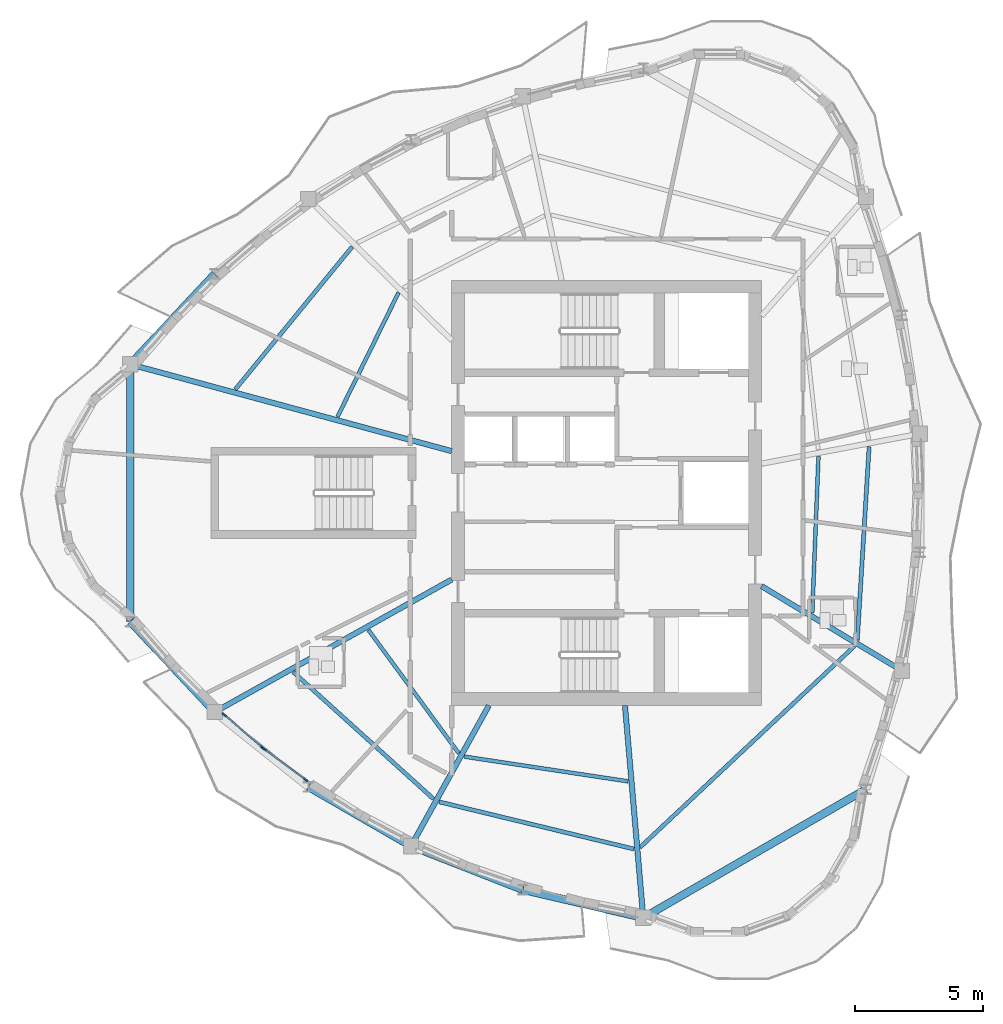
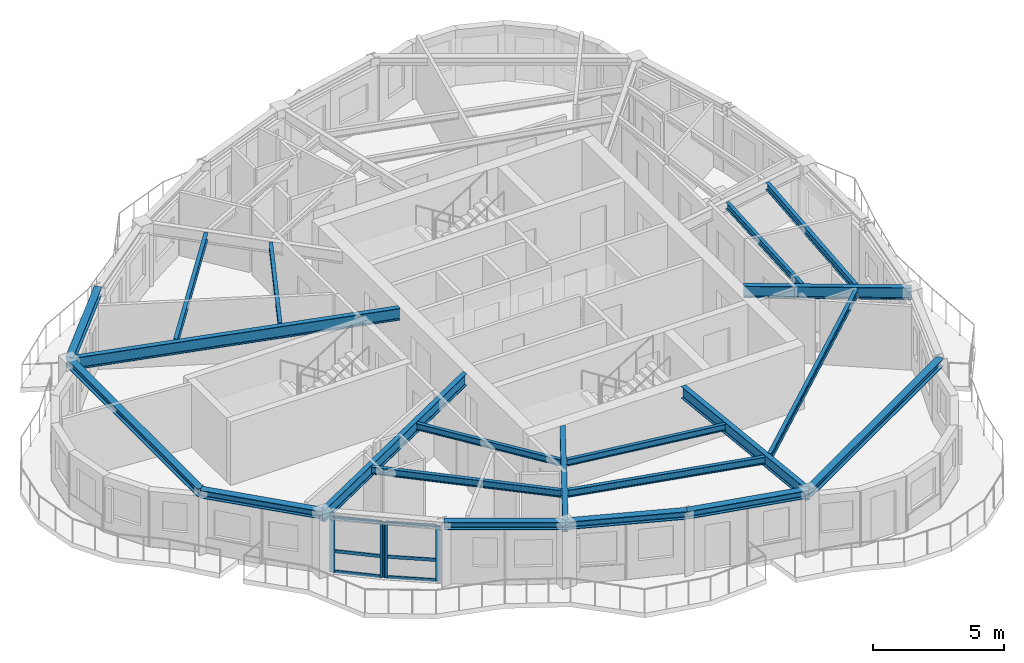
# One storey, part 2 of 13: 21 beams, 10 members, 2 elements without a shape of their own.
"""IFC4 building model written with IfcOpenShell, lengths in metres."""

from ifc_helpers import new_model, si_unit, direction, frame, origin, origin_2d, place, context, subcontext, project, spatial, rectangle, i_section, extrude, source, transform, mapped, material, layer, layer_set, material_profile, profile_set, type_object, element, aggregate, save


model = new_model("IFC4")

# Units and contexts
model_context = context("Model", 3, precision=1e-05, world=origin(), true_north=direction((0.0, 1.0)))
body_context = subcontext(model_context, "Body", "Model", "MODEL_VIEW")
ifc_project = project(units=[si_unit("LENGTHUNIT", "METRE"), si_unit("AREAUNIT", "SQUARE_METRE"), si_unit("VOLUMEUNIT", "CUBIC_METRE"), si_unit("PLANEANGLEUNIT", "RADIAN"), si_unit("MASSUNIT", "GRAM", prefix="KILO")], contexts=[model_context])

# Site, building, storey
site_placement = place(None, origin())
site = spatial("IfcSite", under=ifc_project, at=site_placement, CompositionType="ELEMENT")
building_placement = place(site_placement, origin())
building = spatial("IfcBuilding", under=site, at=building_placement, Name="Qafzar Sky-Pleat Residences", CompositionType="ELEMENT")
storey_placement = place(building_placement, frame((0.0, 0.0, 195.60009765625)))
storey = spatial("IfcBuildingStorey", under=building, at=storey_placement, Name="L58", CompositionType="ELEMENT", Elevation=195.60009765625)

# Beams
ifc_material_1 = material(Name="Steel S355", Category="steel")
ifc_material_profile_1 = material_profile(ifc_material_1, i_section(OverallWidth=0.300048828125, OverallDepth=0.360107421875, WebThickness=0.012451171875, FlangeThickness=0.0224609375, FilletRadius=0.027099609375, at=origin_2d()), Name="HEB 360")
ifc_profile_set_1 = profile_set([ifc_material_profile_1], Name="Steel S355")
beam_type_1 = type_object("IfcBeamType", Name="BM-SPAN-HEB360", PredefinedType="SPANDREL", material=ifc_profile_set_1)
shared_shape_1 = source(origin(), body_context, "Body", "SweptSolid", [
    extrude(i_section(OverallWidth=0.300048828125, OverallDepth=0.360107421875, WebThickness=0.012451171875, FlangeThickness=0.0224609375, FilletRadius=0.027099609375, at=origin_2d()), origin(), (0.0, 0.0, 1.0), 10.0458984375),
])
for number, where, z_axis, x_axis, name in (
    (1, (11.739990234375, 31.02294921875, 2.77783203125), (0.0, -1.0, 0.0), (1.0, 0.0, 0.0), "L58 Perimeter Spandrel Beam 1"),
    (2, (31.780029296875, 9.406982421875, 2.77783203125), (0.866024107753, 0.500002244785, 0.0), (-0.500002244785, 0.866024107753, 0.0), "L58 Perimeter Spandrel Beam 7"),
):
    element("IfcBeam", number, at=place(storey_placement, frame(where, z_axis=z_axis, x_axis=x_axis)), inside=storey, type_object=beam_type_1, Name=name, PredefinedType="SPANDREL", context=body_context, shape_type="MappedRepresentation", body=[
        mapped(shared_shape_1, transform((0.0, 0.0, 0.0), x_axis=(1.0, 0.0, 0.0), y_axis=(0.0, 1.0, 0.0), z_axis=(0.0, 0.0, 1.0), scale=1.0)),
    ])
shared_shape_2 = source(origin(), body_context, "Body", "SweptSolid", [
    extrude(i_section(OverallWidth=0.300048828125, OverallDepth=0.360107421875, WebThickness=0.012451171875, FlangeThickness=0.0224609375, FilletRadius=0.027099609375, at=origin_2d()), origin(), (0.0, 0.0, 1.0), 4.837158203125),
])
for number, where, z_axis, x_axis, name in (
    (3, (11.739990234375, 20.97705078125, 2.77783203125), (0.683143236152, -0.730284409596, 0.0), (0.730284409596, 0.683143236152, 0.0), "L58 Perimeter Spandrel Beam 2"),
    (4, (27.068603515625, 10.50244140625, 2.77783203125), (0.974018125748, -0.226470065822, 0.0), (0.226470065822, 0.974018125748, 0.0), "L58 Perimeter Spandrel Beam 6"),
    (5, (15.04443359375, 34.555419921875, 2.77783203125), (-0.683143236152, -0.730284409596, 0.0), (0.730284409596, -0.683143236152, 0.0), "L58 Perimeter Spandrel Beam 18"),
):
    element("IfcBeam", number, at=place(storey_placement, frame(where, z_axis=z_axis, x_axis=x_axis)), inside=storey, type_object=beam_type_1, Name=name, PredefinedType="SPANDREL", context=body_context, shape_type="MappedRepresentation", body=[
        mapped(shared_shape_2, transform((0.0, 0.0, 0.0), x_axis=(1.0, 0.0, 0.0), y_axis=(0.0, 1.0, 0.0), z_axis=(0.0, 0.0, 1.0), scale=1.0)),
    ])
shared_shape_3 = source(origin(), body_context, "Body", "SweptSolid", [
    extrude(i_section(OverallWidth=0.300048828125, OverallDepth=0.360107421875, WebThickness=0.012451171875, FlangeThickness=0.0224609375, FilletRadius=0.027099609375, at=origin_2d()), origin(), (0.0, 0.0, 1.0), 4.628173828125),
])
beam_1_placement = place(storey_placement, frame((18.70068359375, 14.521484375, 2.77783203125), z_axis=(0.866010770261, -0.500025345149, 0.0), x_axis=(0.500025345149, 0.866010770261, 0.0)))
element("IfcBeam", 6, at=beam_1_placement, inside=storey, type_object=beam_type_1, Name="L58 Perimeter Spandrel Beam 4", PredefinedType="SPANDREL", context=body_context, shape_type="MappedRepresentation", body=[
    mapped(shared_shape_3, transform((0.0, 0.0, 0.0), x_axis=(1.0, 0.0, 0.0), y_axis=(0.0, 1.0, 0.0), z_axis=(0.0, 0.0, 1.0), scale=1.0)),
])
shared_shape_4 = source(origin(), body_context, "Body", "SweptSolid", [
    extrude(i_section(OverallWidth=0.300048828125, OverallDepth=0.360107421875, WebThickness=0.012451171875, FlangeThickness=0.0224609375, FilletRadius=0.027099609375, at=origin_2d()), origin(), (0.0, 0.0, 1.0), 4.681396484375),
])
beam_2_placement = place(storey_placement, frame((22.708740234375, 12.207275390625, 2.77783203125), z_axis=(0.931329701628, -0.36417713666, 0.0), x_axis=(0.36417713666, 0.931329701628, 0.0)))
element("IfcBeam", 7, at=beam_2_placement, inside=storey, type_object=beam_type_1, Name="L58 Perimeter Spandrel Beam 5", PredefinedType="SPANDREL", context=body_context, shape_type="MappedRepresentation", body=[
    mapped(shared_shape_4, transform((0.0, 0.0, 0.0), x_axis=(1.0, 0.0, 0.0), y_axis=(0.0, 1.0, 0.0), z_axis=(0.0, 0.0, 1.0), scale=1.0)),
])
ifc_material_profile_2 = material_profile(ifc_material_1, i_section(OverallWidth=0.2099609375, OverallDepth=0.550048828125, WebThickness=0.010986328125, FlangeThickness=0.01708984375, FilletRadius=0.02392578125, at=origin_2d()), Name="IPE 550")
ifc_profile_set_2 = profile_set([ifc_material_profile_2], Name="Steel S355")
beam_type_2 = type_object("IfcBeamType", Name="BM-SEC-IPE550", PredefinedType="BEAM", material=ifc_profile_set_2)
shared_shape_5 = source(origin(), body_context, "Body", "SweptSolid", [
    extrude(i_section(OverallWidth=0.2099609375, OverallDepth=0.550048828125, WebThickness=0.010986328125, FlangeThickness=0.01708984375, FilletRadius=0.02392578125, at=origin_2d()), origin(), (0.0, 0.0, 1.0), 13.009521484375),
])
beam_3_placement = place(storey_placement, frame((11.739990234375, 31.02294921875, 2.682861328125), z_axis=(0.965449953427, -0.260588540475, 0.0), x_axis=(0.260588540475, 0.965449953427, 0.0)))
element("IfcBeam", 8, at=beam_3_placement, inside=storey, type_object=beam_type_2, Name="L58 Radial Floor Girder 1", PredefinedType="BEAM", context=body_context, shape_type="MappedRepresentation", body=[
    mapped(shared_shape_5, transform((0.0, 0.0, 0.0), x_axis=(1.0, 0.0, 0.0), y_axis=(0.0, 1.0, 0.0), z_axis=(0.0, 0.0, 1.0), scale=1.0)),
])
shared_shape_6 = source(origin(), body_context, "Body", "SweptSolid", [
    extrude(i_section(OverallWidth=0.2099609375, OverallDepth=0.550048828125, WebThickness=0.010986328125, FlangeThickness=0.01708984375, FilletRadius=0.02392578125, at=origin_2d()), origin(), (0.0, 0.0, 1.0), 10.603515625),
])
beam_4_placement = place(storey_placement, frame((15.04443359375, 17.444580078125, 2.682861328125), z_axis=(0.872890126958, 0.487916823095, 0.0), x_axis=(-0.487916823095, 0.872890126958, 0.0)))
element("IfcBeam", 9, at=beam_4_placement, inside=storey, type_object=beam_type_2, Name="L58 Radial Floor Girder 3", PredefinedType="BEAM", context=body_context, shape_type="MappedRepresentation", body=[
    mapped(shared_shape_6, transform((0.0, 0.0, 0.0), x_axis=(1.0, 0.0, 0.0), y_axis=(0.0, 1.0, 0.0), z_axis=(0.0, 0.0, 1.0), scale=1.0)),
])
shared_shape_7 = source(origin(), body_context, "Body", "SweptSolid", [
    extrude(i_section(OverallWidth=0.2099609375, OverallDepth=0.550048828125, WebThickness=0.010986328125, FlangeThickness=0.01708984375, FilletRadius=0.02392578125, at=origin_2d()), origin(), (0.0, 0.0, 1.0), 6.279296875),
])
beam_5_placement = place(storey_placement, frame((22.708740234375, 12.207275390625, 2.682861328125), z_axis=(0.484606022079, 0.874732532472, 0.0), x_axis=(-0.874732532472, 0.484606022079, 0.0)))
element("IfcBeam", 10, at=beam_5_placement, inside=storey, type_object=beam_type_2, Name="L58 Radial Floor Girder 5", PredefinedType="BEAM", context=body_context, shape_type="MappedRepresentation", body=[
    mapped(shared_shape_7, transform((0.0, 0.0, 0.0), x_axis=(1.0, 0.0, 0.0), y_axis=(0.0, 1.0, 0.0), z_axis=(0.0, 0.0, 1.0), scale=1.0)),
])
shared_shape_8 = source(origin(), body_context, "Body", "SweptSolid", [
    extrude(i_section(OverallWidth=0.2099609375, OverallDepth=0.550048828125, WebThickness=0.010986328125, FlangeThickness=0.01708984375, FilletRadius=0.02392578125, at=origin_2d()), origin(), (0.0, 0.0, 1.0), 8.32373046875),
])
beam_6_placement = place(storey_placement, frame((31.780029296875, 9.406982421875, 2.682861328125), z_axis=(-0.085880310608, 0.996305461317, 0.0), x_axis=(-0.996305461317, -0.085880310608, 0.0)))
element("IfcBeam", 11, at=beam_6_placement, inside=storey, type_object=beam_type_2, Name="L58 Radial Floor Girder 7", PredefinedType="BEAM", context=body_context, shape_type="MappedRepresentation", body=[
    mapped(shared_shape_8, transform((0.0, 0.0, 0.0), x_axis=(1.0, 0.0, 0.0), y_axis=(0.0, 1.0, 0.0), z_axis=(0.0, 0.0, 1.0), scale=1.0)),
])
shared_shape_9 = source(origin(), body_context, "Body", "SweptSolid", [
    extrude(i_section(OverallWidth=0.2099609375, OverallDepth=0.550048828125, WebThickness=0.010986328125, FlangeThickness=0.01708984375, FilletRadius=0.02392578125, at=origin_2d()), origin(), (0.0, 0.0, 1.0), 6.40380859375),
])
beam_7_placement = place(storey_placement, frame((41.886962890625, 19.057861328125, 2.682861328125), z_axis=(-0.856836272207, 0.515588598235, 0.0), x_axis=(-0.515588598235, -0.856836272207, 0.0)))
element("IfcBeam", 12, at=beam_7_placement, inside=storey, type_object=beam_type_2, Name="L58 Radial Floor Girder 9", PredefinedType="BEAM", context=body_context, shape_type="MappedRepresentation", body=[
    mapped(shared_shape_9, transform((0.0, 0.0, 0.0), x_axis=(1.0, 0.0, 0.0), y_axis=(0.0, 1.0, 0.0), z_axis=(0.0, 0.0, 1.0), scale=1.0)),
])
ifc_material_profile_3 = material_profile(ifc_material_1, i_section(OverallWidth=0.159912109375, OverallDepth=0.330078125, WebThickness=0.007568359375, FlangeThickness=0.011474609375, FilletRadius=0.01806640625, at=origin_2d()), Name="IPE 330")
ifc_profile_set_3 = profile_set([ifc_material_profile_3], Name="Steel S355")
beam_type_3 = type_object("IfcBeamType", Name="BM-JST-IPE330", PredefinedType="JOIST", material=ifc_profile_set_3)
shared_shape_10 = source(origin(), body_context, "Body", "SweptSolid", [
    extrude(i_section(OverallWidth=0.159912109375, OverallDepth=0.330078125, WebThickness=0.007568359375, FlangeThickness=0.011474609375, FilletRadius=0.01806640625, at=origin_2d()), origin(), (0.0, 0.0, 1.0), 7.384521484375),
])
beam_8_placement = place(storey_placement, frame((18.1064453125, 19.009521484375, 2.79296875), z_axis=(0.741565541832, -0.670880426877, 0.0), x_axis=(0.670880426877, 0.741565541832, 0.0)))
element("IfcBeam", 13, at=beam_8_placement, inside=storey, type_object=beam_type_3, Name="L58 Outer Secondary Floor Joist 2", PredefinedType="JOIST", context=body_context, shape_type="MappedRepresentation", body=[
    mapped(shared_shape_10, transform((0.0, 0.0, 0.0), x_axis=(1.0, 0.0, 0.0), y_axis=(0.0, 1.0, 0.0), z_axis=(0.0, 0.0, 1.0), scale=1.0)),
])
shared_shape_11 = source(origin(), body_context, "Body", "SweptSolid", [
    extrude(i_section(OverallWidth=0.159912109375, OverallDepth=0.330078125, WebThickness=0.007568359375, FlangeThickness=0.011474609375, FilletRadius=0.01806640625, at=origin_2d()), origin(), (0.0, 0.0, 1.0), 7.825927734375),
])
beam_9_placement = place(storey_placement, frame((23.813720703125, 13.93310546875, 2.79296875), z_axis=(0.971949803175, -0.235188392802, 0.0), x_axis=(0.235188392802, 0.971949803175, 0.0)))
element("IfcBeam", 14, at=beam_9_placement, inside=storey, type_object=beam_type_3, Name="L58 Outer Secondary Floor Joist 3", PredefinedType="JOIST", context=body_context, shape_type="MappedRepresentation", body=[
    mapped(shared_shape_11, transform((0.0, 0.0, 0.0), x_axis=(1.0, 0.0, 0.0), y_axis=(0.0, 1.0, 0.0), z_axis=(0.0, 0.0, 1.0), scale=1.0)),
])
shared_shape_12 = source(origin(), body_context, "Body", "SweptSolid", [
    extrude(i_section(OverallWidth=0.159912109375, OverallDepth=0.330078125, WebThickness=0.007568359375, FlangeThickness=0.011474609375, FilletRadius=0.01806640625, at=origin_2d()), origin(), (0.0, 0.0, 1.0), 11.49755859375),
])
beam_10_placement = place(storey_placement, frame((31.649658203125, 12.1533203125, 2.79296875), z_axis=(0.729123199787, 0.684382465828, 0.0), x_axis=(-0.684382465828, 0.729123199787, 0.0)))
element("IfcBeam", 15, at=beam_10_placement, inside=storey, type_object=beam_type_3, Name="L58 Outer Secondary Floor Joist 4", PredefinedType="JOIST", context=body_context, shape_type="MappedRepresentation", body=[
    mapped(shared_shape_12, transform((0.0, 0.0, 0.0), x_axis=(1.0, 0.0, 0.0), y_axis=(0.0, 1.0, 0.0), z_axis=(0.0, 0.0, 1.0), scale=1.0)),
])
shared_shape_13 = source(origin(), body_context, "Body", "SweptSolid", [
    extrude(i_section(OverallWidth=0.159912109375, OverallDepth=0.330078125, WebThickness=0.007568359375, FlangeThickness=0.011474609375, FilletRadius=0.01806640625, at=origin_2d()), origin(), (0.0, 0.0, 1.0), 7.569580078125),
])
beam_11_placement = place(storey_placement, frame((40.139404296875, 20.249267578125, 2.79296875), z_axis=(0.061022845874, 0.998136369582, 0.0), x_axis=(-0.998136369582, 0.061022845874, 0.0)))
element("IfcBeam", 16, at=beam_11_placement, inside=storey, type_object=beam_type_3, Name="L58 Outer Secondary Floor Joist 5", PredefinedType="JOIST", context=body_context, shape_type="MappedRepresentation", body=[
    mapped(shared_shape_13, transform((0.0, 0.0, 0.0), x_axis=(1.0, 0.0, 0.0), y_axis=(0.0, 1.0, 0.0), z_axis=(0.0, 0.0, 1.0), scale=1.0)),
])
shared_shape_14 = source(origin(), body_context, "Body", "SweptSolid", [
    extrude(i_section(OverallWidth=0.159912109375, OverallDepth=0.330078125, WebThickness=0.007568359375, FlangeThickness=0.011474609375, FilletRadius=0.01806640625, at=origin_2d()), origin(), (0.0, 0.0, 1.0), 7.197021484375),
])
beam_12_placement = place(storey_placement, frame((20.406982421875, 35.608642578125, 2.79296875), z_axis=(-0.633913651729, -0.773403828638, 0.0), x_axis=(0.773403828638, -0.633913651729, 0.0)))
element("IfcBeam", 17, at=beam_12_placement, inside=storey, type_object=beam_type_3, Name="L58 Outer Secondary Floor Joist 9", PredefinedType="JOIST", context=body_context, shape_type="MappedRepresentation", body=[
    mapped(shared_shape_14, transform((0.0, 0.0, 0.0), x_axis=(1.0, 0.0, 0.0), y_axis=(0.0, 1.0, 0.0), z_axis=(0.0, 0.0, 1.0), scale=1.0)),
])
ifc_material_profile_4 = material_profile(ifc_material_1, i_section(OverallWidth=0.14990234375, OverallDepth=0.300048828125, WebThickness=0.007080078125, FlangeThickness=0.0107421875, FilletRadius=0.014892578125, at=origin_2d()), Name="IPE 300")
ifc_profile_set_4 = profile_set([ifc_material_profile_4], Name="Steel S355")
beam_type_4 = type_object("IfcBeamType", Name="BM-JST-IPE300", PredefinedType="JOIST", material=ifc_profile_set_4)
shared_shape_15 = source(origin(), body_context, "Body", "SweptSolid", [
    extrude(i_section(OverallWidth=0.14990234375, OverallDepth=0.300048828125, WebThickness=0.007080078125, FlangeThickness=0.0107421875, FilletRadius=0.014892578125, at=origin_2d()), origin(), (0.0, 0.0, 1.0), 5.9697265625),
])
beam_13_placement = place(storey_placement, frame((21.0478515625, 20.646728515625, 2.807861328125), z_axis=(0.591083495716, -0.806610377501, 0.0), x_axis=(0.806610377501, 0.591083495716, 0.0)))
element("IfcBeam", 18, at=beam_13_placement, inside=storey, type_object=beam_type_4, Name="L58 Inner Secondary Floor Joist 2", PredefinedType="JOIST", context=body_context, shape_type="MappedRepresentation", body=[
    mapped(shared_shape_15, transform((0.0, 0.0, 0.0), x_axis=(1.0, 0.0, 0.0), y_axis=(0.0, 1.0, 0.0), z_axis=(0.0, 0.0, 1.0), scale=1.0)),
])
shared_shape_16 = source(origin(), body_context, "Body", "SweptSolid", [
    extrude(i_section(OverallWidth=0.14990234375, OverallDepth=0.300048828125, WebThickness=0.007080078125, FlangeThickness=0.0107421875, FilletRadius=0.014892578125, at=origin_2d()), origin(), (0.0, 0.0, 1.0), 6.47216796875),
])
beam_14_placement = place(storey_placement, frame((24.789794921875, 15.702392578125, 2.807861328125), z_axis=(0.988757453477, -0.149528252159, 0.0), x_axis=(0.149528252159, 0.988757453477, 0.0)))
element("IfcBeam", 19, at=beam_14_placement, inside=storey, type_object=beam_type_4, Name="L58 Inner Secondary Floor Joist 3", PredefinedType="JOIST", context=body_context, shape_type="MappedRepresentation", body=[
    mapped(shared_shape_16, transform((0.0, 0.0, 0.0), x_axis=(1.0, 0.0, 0.0), y_axis=(0.0, 1.0, 0.0), z_axis=(0.0, 0.0, 1.0), scale=1.0)),
])
shared_shape_17 = source(origin(), body_context, "Body", "SweptSolid", [
    extrude(i_section(OverallWidth=0.14990234375, OverallDepth=0.300048828125, WebThickness=0.007080078125, FlangeThickness=0.0107421875, FilletRadius=0.014892578125, at=origin_2d()), origin(), (0.0, 0.0, 1.0), 6.129150390625),
])
beam_15_placement = place(storey_placement, frame((38.380615234375, 21.305908203125, 2.807861328125), z_axis=(0.039594201598, 0.999215842148, 0.0), x_axis=(-0.999215842148, 0.039594201598, 0.0)))
element("IfcBeam", 20, at=beam_15_placement, inside=storey, type_object=beam_type_4, Name="L58 Inner Secondary Floor Joist 5", PredefinedType="JOIST", context=body_context, shape_type="MappedRepresentation", body=[
    mapped(shared_shape_17, transform((0.0, 0.0, 0.0), x_axis=(1.0, 0.0, 0.0), y_axis=(0.0, 1.0, 0.0), z_axis=(0.0, 0.0, 1.0), scale=1.0)),
])
shared_shape_18 = source(origin(), body_context, "Body", "SweptSolid", [
    extrude(i_section(OverallWidth=0.14990234375, OverallDepth=0.300048828125, WebThickness=0.007080078125, FlangeThickness=0.0107421875, FilletRadius=0.014892578125, at=origin_2d()), origin(), (0.0, 0.0, 1.0), 5.4072265625),
])
beam_16_placement = place(storey_placement, frame((22.224609375, 33.826416015625, 2.807861328125), z_axis=(-0.441388791387, -0.897315961542, 0.0), x_axis=(0.897315961542, -0.441388791387, 0.0)))
element("IfcBeam", 21, at=beam_16_placement, inside=storey, type_object=beam_type_4, Name="L58 Inner Secondary Floor Joist 9", PredefinedType="JOIST", context=body_context, shape_type="MappedRepresentation", body=[
    mapped(shared_shape_18, transform((0.0, 0.0, 0.0), x_axis=(1.0, 0.0, 0.0), y_axis=(0.0, 1.0, 0.0), z_axis=(0.0, 0.0, 1.0), scale=1.0)),
])

# Curtain wall, members
ifc_material_2 = material(Name="Anodised bronze aluminium framing", Category="aluminium")
ifc_layer = layer(ifc_material_2, 0.199951171875)
ifc_layer_set = layer_set([ifc_layer], Name="Anodised bronze aluminium framing")
curtain_wall_type = type_object("IfcCurtainWallType", Name="CW-SYS-04", PredefinedType="NOTDEFINED", material=ifc_layer_set)
curtain_wall_1_placement = place(storey_placement, origin())
curtain_wall_1 = element("IfcCurtainWall", 22, at=curtain_wall_1_placement, inside=storey, type_object=curtain_wall_type, Name="L58 CW-04 Curtain Wall CW-L58-WG-09", PredefinedType="NOTDEFINED")
ifc_material_3 = material(Name="Anodised bronze aluminium", Category="aluminium")
ifc_material_profile_5 = material_profile(ifc_material_3, rectangle(XDim=0.06494140625, YDim=0.199951171875, at=origin_2d()), Name="ALU MULLION 65x200")
ifc_profile_set_5 = profile_set([ifc_material_profile_5], Name="Anodised bronze aluminium")
member_type_1 = type_object("IfcMemberType", Name="CWM-04", PredefinedType="MULLION", material=ifc_profile_set_5)
shared_shape_19 = source(origin(), body_context, "Body", "SweptSolid", [
    extrude(rectangle(XDim=0.06494140625, YDim=0.199951171875, at=origin_2d()), origin(), (0.0, 0.0, 1.0), 2.579833984375),
])
member_1_placement = place(storey_placement, frame((15.416015625, 17.335693359375, 0.0), z_axis=(0.0, 0.0, 1.0), x_axis=(0.652872875619, 0.757467496518, 0.0)))
member_1 = element("IfcMember", 23, at=member_1_placement, type_object=member_type_1, Name="CW-04 mullion 1", PredefinedType="MULLION", context=body_context, shape_type="MappedRepresentation", body=[
    mapped(shared_shape_19, transform((0.0, 0.0, 0.0), x_axis=(1.0, 0.0, 0.0), y_axis=(0.0, 1.0, 0.0), z_axis=(0.0, 0.0, 1.0), scale=1.0)),
])
member_2_placement = place(storey_placement, frame((16.893310546875, 16.062255859375, 0.0), z_axis=(0.0, 0.0, 1.0), x_axis=(0.652872875619, 0.757467496518, 0.0)))
member_2 = element("IfcMember", 24, at=member_2_placement, type_object=member_type_1, Name="CW-04 mullion 2", PredefinedType="MULLION", context=body_context, shape_type="MappedRepresentation", body=[
    mapped(shared_shape_19, transform((0.0, 0.0, 0.0), x_axis=(1.0, 0.0, 0.0), y_axis=(0.0, 1.0, 0.0), z_axis=(0.0, 0.0, 1.0), scale=1.0)),
])

curtain_wall_2_placement = place(storey_placement, origin())
curtain_wall_2 = element("IfcCurtainWall", 25, at=curtain_wall_2_placement, inside=storey, type_object=curtain_wall_type, Name="L58 CW-04 Curtain Wall CW-L58-WG-10", PredefinedType="NOTDEFINED")
member_3_placement = place(storey_placement, frame((16.966064453125, 16.004150390625, 0.0), z_axis=(0.0, 0.0, 1.0), x_axis=(0.594865884903, 0.803824967874, 0.0)))
member_3 = element("IfcMember", 26, at=member_3_placement, type_object=member_type_1, Name="CW-04 mullion 1", PredefinedType="MULLION", context=body_context, shape_type="MappedRepresentation", body=[
    mapped(shared_shape_19, transform((0.0, 0.0, 0.0), x_axis=(1.0, 0.0, 0.0), y_axis=(0.0, 1.0, 0.0), z_axis=(0.0, 0.0, 1.0), scale=1.0)),
])
member_4_placement = place(storey_placement, frame((18.59375, 14.799560546875, 0.0), z_axis=(0.0, 0.0, 1.0), x_axis=(0.594865884903, 0.803824967874, 0.0)))
member_4 = element("IfcMember", 27, at=member_4_placement, type_object=member_type_1, Name="CW-04 mullion 2", PredefinedType="MULLION", context=body_context, shape_type="MappedRepresentation", body=[
    mapped(shared_shape_19, transform((0.0, 0.0, 0.0), x_axis=(1.0, 0.0, 0.0), y_axis=(0.0, 1.0, 0.0), z_axis=(0.0, 0.0, 1.0), scale=1.0)),
])

# Member
ifc_material_profile_6 = material_profile(ifc_material_3, rectangle(XDim=0.06494140625, YDim=0.14990234375, at=origin_2d()), Name="ALU TRANSOM 65x150")
ifc_profile_set_6 = profile_set([ifc_material_profile_6], Name="Anodised bronze aluminium")
member_type_2 = type_object("IfcMemberType", Name="CWT-04", PredefinedType="USERDEFINED", material=ifc_profile_set_6)
shared_shape_20 = source(origin(), body_context, "Body", "SweptSolid", [
    extrude(rectangle(XDim=0.06494140625, YDim=0.14990234375, at=origin_2d()), origin(), (0.0, 0.0, 1.0), 1.88525390625),
])
member_5_placement = place(storey_placement, frame((15.440673828125, 17.314453125, 0.032470703125), z_axis=(0.75742541971, -0.652921690234, 0.0), x_axis=(0.652921690234, 0.75742541971, 0.0)))
member_5 = element("IfcMember", 28, at=member_5_placement, type_object=member_type_2, Name="CW-04 transom 1.1", ObjectType="TRANSOM", PredefinedType="USERDEFINED", context=body_context, shape_type="MappedRepresentation", body=[
    mapped(shared_shape_20, transform((0.0, 0.0, 0.0), x_axis=(1.0, 0.0, 0.0), y_axis=(0.0, 1.0, 0.0), z_axis=(0.0, 0.0, 1.0), scale=1.0)),
])

member_6_placement = place(storey_placement, frame((15.440673828125, 17.314453125, 0.980224609375), z_axis=(0.75742541971, -0.652921690234, 0.0), x_axis=(0.652921690234, 0.75742541971, 0.0)))
member_6 = element("IfcMember", 29, at=member_6_placement, type_object=member_type_2, Name="CW-04 transom 1.2", ObjectType="TRANSOM", PredefinedType="USERDEFINED", context=body_context, shape_type="MappedRepresentation", body=[
    mapped(shared_shape_20, transform((0.0, 0.0, 0.0), x_axis=(1.0, 0.0, 0.0), y_axis=(0.0, 1.0, 0.0), z_axis=(0.0, 0.0, 1.0), scale=1.0)),
])

member_7_placement = place(storey_placement, frame((15.440673828125, 17.314453125, 2.54736328125), z_axis=(0.75742541971, -0.652921690234, 0.0), x_axis=(0.652921690234, 0.75742541971, 0.0)))
member_7 = element("IfcMember", 30, at=member_7_placement, type_object=member_type_2, Name="CW-04 transom 1.3", ObjectType="TRANSOM", PredefinedType="USERDEFINED", context=body_context, shape_type="MappedRepresentation", body=[
    mapped(shared_shape_20, transform((0.0, 0.0, 0.0), x_axis=(1.0, 0.0, 0.0), y_axis=(0.0, 1.0, 0.0), z_axis=(0.0, 0.0, 1.0), scale=1.0)),
])

aggregate(curtain_wall_1, [member_1, member_2, member_5, member_6, member_7])

shared_shape_21 = source(origin(), body_context, "Body", "SweptSolid", [
    extrude(rectangle(XDim=0.06494140625, YDim=0.14990234375, at=origin_2d()), origin(), (0.0, 0.0, 1.0), 1.9599609375),
])
member_8_placement = place(storey_placement, frame((16.9921875, 15.98486328125, 0.032470703125), z_axis=(0.803795439718, -0.594905783371, 0.0), x_axis=(0.594905783371, 0.803795439718, 0.0)))
member_8 = element("IfcMember", 31, at=member_8_placement, type_object=member_type_2, Name="CW-04 transom 1.1", ObjectType="TRANSOM", PredefinedType="USERDEFINED", context=body_context, shape_type="MappedRepresentation", body=[
    mapped(shared_shape_21, transform((0.0, 0.0, 0.0), x_axis=(1.0, 0.0, 0.0), y_axis=(0.0, 1.0, 0.0), z_axis=(0.0, 0.0, 1.0), scale=1.0)),
])

member_9_placement = place(storey_placement, frame((16.9921875, 15.98486328125, 0.980224609375), z_axis=(0.803795439718, -0.594905783371, 0.0), x_axis=(0.594905783371, 0.803795439718, 0.0)))
member_9 = element("IfcMember", 32, at=member_9_placement, type_object=member_type_2, Name="CW-04 transom 1.2", ObjectType="TRANSOM", PredefinedType="USERDEFINED", context=body_context, shape_type="MappedRepresentation", body=[
    mapped(shared_shape_21, transform((0.0, 0.0, 0.0), x_axis=(1.0, 0.0, 0.0), y_axis=(0.0, 1.0, 0.0), z_axis=(0.0, 0.0, 1.0), scale=1.0)),
])

member_10_placement = place(storey_placement, frame((16.9921875, 15.98486328125, 2.54736328125), z_axis=(0.803795439718, -0.594905783371, 0.0), x_axis=(0.594905783371, 0.803795439718, 0.0)))
member_10 = element("IfcMember", 33, at=member_10_placement, type_object=member_type_2, Name="CW-04 transom 1.3", ObjectType="TRANSOM", PredefinedType="USERDEFINED", context=body_context, shape_type="MappedRepresentation", body=[
    mapped(shared_shape_21, transform((0.0, 0.0, 0.0), x_axis=(1.0, 0.0, 0.0), y_axis=(0.0, 1.0, 0.0), z_axis=(0.0, 0.0, 1.0), scale=1.0)),
])

aggregate(curtain_wall_2, [member_3, member_4, member_8, member_9, member_10])

save(model, "model.ifc")
